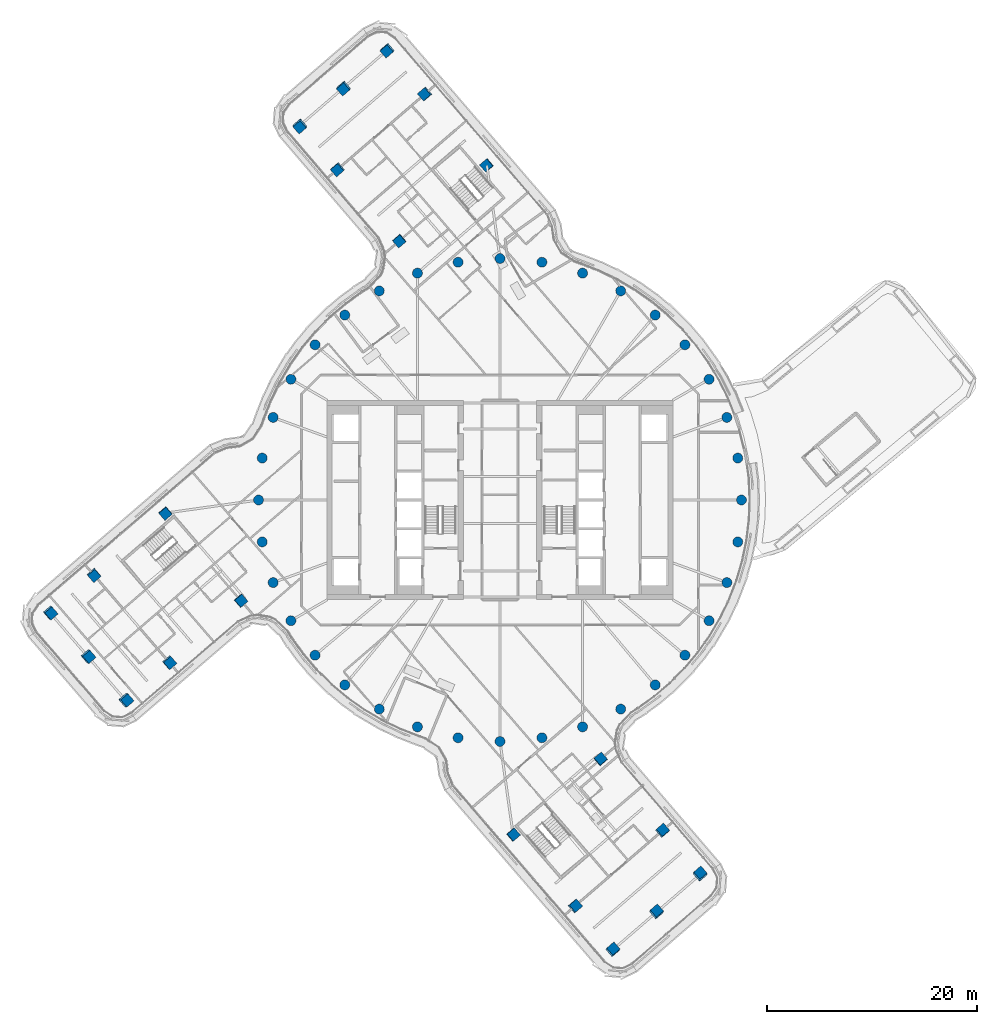
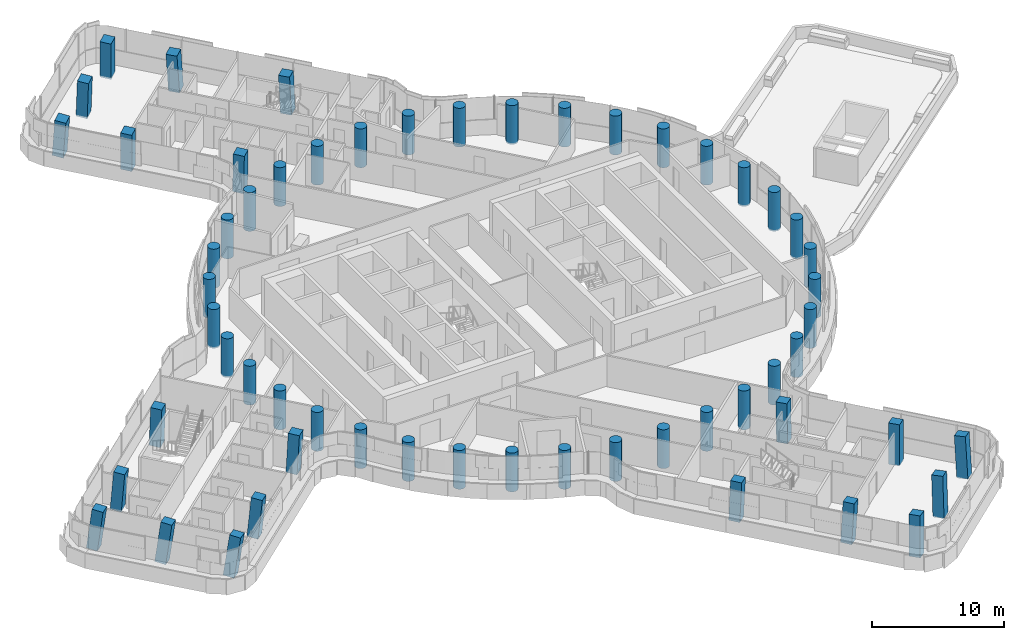
# One storey, part 1 of 34: 57 columns.
"""IFC4 building model written with IfcOpenShell, lengths in metres."""

from ifc_helpers import new_model, si_unit, direction, frame, origin, origin_2d, place, context, subcontext, project, spatial, rectangle, circle, extrude, material, material_profile, profile_set, type_object, element, save


model = new_model("IFC4")

# Units and contexts
model_context = context("Model", 3, precision=1e-05, world=origin(), true_north=direction((0.0, 1.0)))
body_context = subcontext(model_context, "Body", "Model", "MODEL_VIEW")
ifc_project = project(units=[si_unit("LENGTHUNIT", "METRE"), si_unit("AREAUNIT", "SQUARE_METRE"), si_unit("VOLUMEUNIT", "CUBIC_METRE"), si_unit("PLANEANGLEUNIT", "RADIAN"), si_unit("MASSUNIT", "GRAM", prefix="KILO")], contexts=[model_context])

# Site, building, storey
site_placement = place(None, origin())
site = spatial("IfcSite", under=ifc_project, at=site_placement, CompositionType="ELEMENT")
building_placement = place(site_placement, origin())
building = spatial("IfcBuilding", under=site, at=building_placement, Name="Tamarind Cross Interchange Tower", CompositionType="ELEMENT")
storey_placement = place(building_placement, frame((0.0, 0.0, 182.5)))
storey = spatial("IfcBuildingStorey", under=building, at=storey_placement, Name="L45", CompositionType="ELEMENT", Elevation=182.5)

# Columns
ifc_material = material(Name="Concrete C55", Category="concrete")
ifc_material_profile_1 = material_profile(ifc_material, rectangle(XDim=0.89990234375, YDim=0.89990234375, at=origin_2d()), Name="RC 900x900")
ifc_profile_set_1 = profile_set([ifc_material_profile_1], Name="Concrete C55")
column_type_1 = type_object("IfcColumnType", Name="Column RC 900x900 Concrete C55", PredefinedType="COLUMN", material=ifc_profile_set_1)
column_1_placement = place(storey_placement, frame((-15.459228515625, 31.515869140625, -0.1328125), z_axis=(-0.047319070379, -0.07839124964, 0.995799034725), x_axis=(0.755788776181, 0.649009542698, 0.087005398028)))
element("IfcColumn", 1, at=column_1_placement, inside=storey, type_object=column_type_1, Name="Column L45-043", PredefinedType="COLUMN", context=body_context, shape_type="SweptSolid", body=[
    extrude(rectangle(XDim=0.89990234375, YDim=0.89990234375, at=origin_2d()), origin(), (0.0, 0.0, 1.0), 3.6064453125),
])
column_2_placement = place(storey_placement, frame((-7.1259765625, 38.696044921875, -0.13330078125), z_axis=(-0.083863399406, -0.036686006843, 0.995801720797), x_axis=(0.651508924479, -0.758162598415, 0.026936883435)))
element("IfcColumn", 2, at=column_2_placement, inside=storey, type_object=column_type_1, Name="Column L45-044", PredefinedType="COLUMN", context=body_context, shape_type="SweptSolid", body=[
    extrude(rectangle(XDim=0.89990234375, YDim=0.89990234375, at=origin_2d()), origin(), (0.0, 0.0, 1.0), 3.60693359375),
])
column_3_placement = place(storey_placement, frame((-9.58447265625, 24.69775390625, -0.13525390625), z_axis=(-0.013229584391, -0.048576320124, 0.998731855515), x_axis=(0.757717932984, 0.651247732409, 0.04171240903)))
element("IfcColumn", 3, at=column_3_placement, inside=storey, type_object=column_type_1, Name="Column L45-045", PredefinedType="COLUMN", context=body_context, shape_type="SweptSolid", body=[
    extrude(rectangle(XDim=0.89990234375, YDim=0.89990234375, at=origin_2d()), origin(), (0.0, 0.0, 1.0), 3.5986328125),
])
column_4_placement = place(storey_placement, frame((-1.2509765625, 31.8779296875, -0.135498046875), z_axis=(-0.049929700814, -0.006783926741, 0.99872969482), x_axis=(0.652013787216, -0.757710068374, 0.027449472935)))
element("IfcColumn", 4, at=column_4_placement, inside=storey, type_object=column_type_1, Name="Column L45-046", PredefinedType="COLUMN", context=body_context, shape_type="SweptSolid", body=[
    extrude(rectangle(XDim=0.89990234375, YDim=0.89990234375, at=origin_2d()), origin(), (0.0, 0.0, 1.0), 3.598876953125),
])
column_5_placement = place(storey_placement, frame((-10.724609375, 42.871337890625, -0.125), z_axis=(-0.05897537844, -0.10577694023, 0.992639483223), x_axis=(0.75438904644, 0.6465033883, 0.113712512625)))
element("IfcColumn", 5, at=column_5_placement, inside=storey, type_object=column_type_1, Name="Column L45-047", PredefinedType="COLUMN", context=body_context, shape_type="SweptSolid", body=[
    extrude(rectangle(XDim=0.89990234375, YDim=0.89990234375, at=origin_2d()), origin(), (0.0, 0.0, 1.0), 3.60986328125),
])
column_6_placement = place(storey_placement, frame((-14.89111328125, 39.28125, -0.12646484375), z_axis=(-0.040639705862, -0.12637463351, 0.99114976987), x_axis=(0.755269902041, 0.645550569996, 0.113277697048)))
element("IfcColumn", 6, at=column_6_placement, inside=storey, type_object=column_type_1, Name="Column L45-048", PredefinedType="COLUMN", context=body_context, shape_type="SweptSolid", body=[
    extrude(rectangle(XDim=0.89990234375, YDim=0.89990234375, at=origin_2d()), origin(), (0.0, 0.0, 1.0), 3.616455078125),
])
column_7_placement = place(storey_placement, frame((-19.0576171875, 35.69140625, -0.128173828125), z_axis=(-0.022351267372, -0.146831669094, 0.988908935038), x_axis=(0.756181261603, 0.644567349154, 0.112795531851)))
element("IfcColumn", 7, at=column_7_placement, inside=storey, type_object=column_type_1, Name="Column L45-049", PredefinedType="COLUMN", context=body_context, shape_type="SweptSolid", body=[
    extrude(rectangle(XDim=0.89990234375, YDim=0.89990234375, at=origin_2d()), origin(), (0.0, 0.0, 1.0), 3.62646484375),
])
column_8_placement = place(storey_placement, frame((-31.515869140625, -15.459228515625, -0.1328125), z_axis=(0.07839124964, -0.047319070379, 0.995799034725), x_axis=(-0.649009542698, 0.755788776181, 0.087005398028)))
element("IfcColumn", 8, at=column_8_placement, inside=storey, type_object=column_type_1, Name="Column L45-050", PredefinedType="COLUMN", context=body_context, shape_type="SweptSolid", body=[
    extrude(rectangle(XDim=0.89990234375, YDim=0.89990234375, at=origin_2d()), origin(), (0.0, 0.0, 1.0), 3.6064453125),
])
column_9_placement = place(storey_placement, frame((-38.696044921875, -7.1259765625, -0.13330078125), z_axis=(0.036686006843, -0.083863399406, 0.995801720797), x_axis=(0.758162598415, 0.651508924479, 0.026936883435)))
element("IfcColumn", 9, at=column_9_placement, inside=storey, type_object=column_type_1, Name="Column L45-051", PredefinedType="COLUMN", context=body_context, shape_type="SweptSolid", body=[
    extrude(rectangle(XDim=0.89990234375, YDim=0.89990234375, at=origin_2d()), origin(), (0.0, 0.0, 1.0), 3.60693359375),
])
column_10_placement = place(storey_placement, frame((-24.69775390625, -9.58447265625, -0.13525390625), z_axis=(0.048576320124, -0.013229584391, 0.998731855515), x_axis=(-0.651247732409, 0.757717932984, 0.04171240903)))
element("IfcColumn", 10, at=column_10_placement, inside=storey, type_object=column_type_1, Name="Column L45-052", PredefinedType="COLUMN", context=body_context, shape_type="SweptSolid", body=[
    extrude(rectangle(XDim=0.89990234375, YDim=0.89990234375, at=origin_2d()), origin(), (0.0, 0.0, 1.0), 3.5986328125),
])
column_11_placement = place(storey_placement, frame((-31.8779296875, -1.2509765625, -0.135498046875), z_axis=(0.006783926741, -0.049929700814, 0.99872969482), x_axis=(0.757710068374, 0.652013787216, 0.027449472935)))
element("IfcColumn", 11, at=column_11_placement, inside=storey, type_object=column_type_1, Name="Column L45-053", PredefinedType="COLUMN", context=body_context, shape_type="SweptSolid", body=[
    extrude(rectangle(XDim=0.89990234375, YDim=0.89990234375, at=origin_2d()), origin(), (0.0, 0.0, 1.0), 3.598876953125),
])
column_12_placement = place(storey_placement, frame((-42.871337890625, -10.724609375, -0.125), z_axis=(0.10577694023, -0.05897537844, 0.992639483223), x_axis=(-0.6465033883, 0.75438904644, 0.113712512625)))
element("IfcColumn", 12, at=column_12_placement, inside=storey, type_object=column_type_1, Name="Column L45-054", PredefinedType="COLUMN", context=body_context, shape_type="SweptSolid", body=[
    extrude(rectangle(XDim=0.89990234375, YDim=0.89990234375, at=origin_2d()), origin(), (0.0, 0.0, 1.0), 3.60986328125),
])
column_13_placement = place(storey_placement, frame((-39.28125, -14.89111328125, -0.12646484375), z_axis=(0.12637463351, -0.040639705862, 0.99114976987), x_axis=(-0.645550569996, 0.755269902041, 0.113277697048)))
element("IfcColumn", 13, at=column_13_placement, inside=storey, type_object=column_type_1, Name="Column L45-055", PredefinedType="COLUMN", context=body_context, shape_type="SweptSolid", body=[
    extrude(rectangle(XDim=0.89990234375, YDim=0.89990234375, at=origin_2d()), origin(), (0.0, 0.0, 1.0), 3.616455078125),
])
column_14_placement = place(storey_placement, frame((-35.69140625, -19.0576171875, -0.128173828125), z_axis=(0.146831669094, -0.022351267372, 0.988908935038), x_axis=(-0.644567349154, 0.756181261603, 0.112795531851)))
element("IfcColumn", 14, at=column_14_placement, inside=storey, type_object=column_type_1, Name="Column L45-056", PredefinedType="COLUMN", context=body_context, shape_type="SweptSolid", body=[
    extrude(rectangle(XDim=0.89990234375, YDim=0.89990234375, at=origin_2d()), origin(), (0.0, 0.0, 1.0), 3.62646484375),
])
column_15_placement = place(storey_placement, frame((15.459228515625, -31.515869140625, -0.1328125), z_axis=(0.047319070379, 0.07839124964, 0.995799034725), x_axis=(-0.755788776181, -0.649009542698, 0.087005398028)))
element("IfcColumn", 15, at=column_15_placement, inside=storey, type_object=column_type_1, Name="Column L45-057", PredefinedType="COLUMN", context=body_context, shape_type="SweptSolid", body=[
    extrude(rectangle(XDim=0.89990234375, YDim=0.89990234375, at=origin_2d()), origin(), (0.0, 0.0, 1.0), 3.6064453125),
])
column_16_placement = place(storey_placement, frame((7.1259765625, -38.696044921875, -0.13330078125), z_axis=(0.083863399406, 0.036686006843, 0.995801720797), x_axis=(-0.651508924479, 0.758162598415, 0.026936883435)))
element("IfcColumn", 16, at=column_16_placement, inside=storey, type_object=column_type_1, Name="Column L45-058", PredefinedType="COLUMN", context=body_context, shape_type="SweptSolid", body=[
    extrude(rectangle(XDim=0.89990234375, YDim=0.89990234375, at=origin_2d()), origin(), (0.0, 0.0, 1.0), 3.60693359375),
])
column_17_placement = place(storey_placement, frame((9.58447265625, -24.69775390625, -0.13525390625), z_axis=(0.013229584391, 0.048576320124, 0.998731855515), x_axis=(-0.757717932984, -0.651247732409, 0.04171240903)))
element("IfcColumn", 17, at=column_17_placement, inside=storey, type_object=column_type_1, Name="Column L45-059", PredefinedType="COLUMN", context=body_context, shape_type="SweptSolid", body=[
    extrude(rectangle(XDim=0.89990234375, YDim=0.89990234375, at=origin_2d()), origin(), (0.0, 0.0, 1.0), 3.5986328125),
])
column_18_placement = place(storey_placement, frame((1.2509765625, -31.8779296875, -0.135498046875), z_axis=(0.049929700814, 0.006783926741, 0.99872969482), x_axis=(-0.652013787216, 0.757710068374, 0.027449472935)))
element("IfcColumn", 18, at=column_18_placement, inside=storey, type_object=column_type_1, Name="Column L45-060", PredefinedType="COLUMN", context=body_context, shape_type="SweptSolid", body=[
    extrude(rectangle(XDim=0.89990234375, YDim=0.89990234375, at=origin_2d()), origin(), (0.0, 0.0, 1.0), 3.598876953125),
])
column_19_placement = place(storey_placement, frame((10.724609375, -42.871337890625, -0.125), z_axis=(0.05897537844, 0.10577694023, 0.992639483223), x_axis=(-0.75438904644, -0.6465033883, 0.113712512625)))
element("IfcColumn", 19, at=column_19_placement, inside=storey, type_object=column_type_1, Name="Column L45-061", PredefinedType="COLUMN", context=body_context, shape_type="SweptSolid", body=[
    extrude(rectangle(XDim=0.89990234375, YDim=0.89990234375, at=origin_2d()), origin(), (0.0, 0.0, 1.0), 3.60986328125),
])
column_20_placement = place(storey_placement, frame((14.89111328125, -39.28125, -0.12646484375), z_axis=(0.040639705862, 0.12637463351, 0.99114976987), x_axis=(-0.755269902041, -0.645550569996, 0.113277697048)))
element("IfcColumn", 20, at=column_20_placement, inside=storey, type_object=column_type_1, Name="Column L45-062", PredefinedType="COLUMN", context=body_context, shape_type="SweptSolid", body=[
    extrude(rectangle(XDim=0.89990234375, YDim=0.89990234375, at=origin_2d()), origin(), (0.0, 0.0, 1.0), 3.616455078125),
])
column_21_placement = place(storey_placement, frame((19.0576171875, -35.69140625, -0.128173828125), z_axis=(0.022351267372, 0.146831669094, 0.988908935038), x_axis=(-0.756181261603, -0.644567349154, 0.112795531851)))
element("IfcColumn", 21, at=column_21_placement, inside=storey, type_object=column_type_1, Name="Column L45-063", PredefinedType="COLUMN", context=body_context, shape_type="SweptSolid", body=[
    extrude(rectangle(XDim=0.89990234375, YDim=0.89990234375, at=origin_2d()), origin(), (0.0, 0.0, 1.0), 3.62646484375),
])
ifc_material_profile_2 = material_profile(ifc_material, circle(Radius=0.47509765625, at=origin_2d()), Name="RC D950")
ifc_profile_set_2 = profile_set([ifc_material_profile_2], Name="Concrete C55")
column_type_2 = type_object("IfcColumnType", Name="Column RC D950 Concrete C55", PredefinedType="COLUMN", material=ifc_profile_set_2)
for number, where, z_axis, x_axis, name in (
    (22, (23.0, 0.0, -0.139892578125), (0.0, 0.0, 1.0), (1.0, 0.0, 0.0), "Column L45-000"),
    (23, (22.650634765625, 3.993896484375, -0.139892578125), (0.0, 0.0, 1.0), (1.0, 0.0, 0.0), "Column L45-001"),
    (24, (21.613037109375, 7.866455078125, -0.139892578125), (0.0, 0.0, 1.0), (1.0, 0.0, 0.0), "Column L45-002"),
    (25, (19.918701171875, 11.5, -0.139892578125), (0.0, 0.0, 1.0), (1.0, 0.0, 0.0), "Column L45-003"),
    (26, (17.619140625, 14.7841796875, -0.139892578125), (0.0, 0.0, 1.0), (1.0, 0.0, 0.0), "Column L45-004"),
    (27, (14.7841796875, 17.619140625, -0.139892578125), (0.0, 0.0, 1.0), (1.0, 0.0, 0.0), "Column L45-005"),
    (28, (11.5, 19.918701171875, -0.139892578125), (0.0, 0.0, 1.0), (1.0, 0.0, 0.0), "Column L45-006"),
    (29, (7.866455078125, 21.613037109375, -0.139892578125), (0.0, 0.0, 1.0), (1.0, 0.0, 0.0), "Column L45-007"),
    (30, (3.993896484375, 22.650634765625, -0.139892578125), (0.0, 0.0, 1.0), (1.0, 0.0, 0.0), "Column L45-008"),
    (31, (0.0, 23.0, -0.139892578125), (0.0, 0.0, 1.0), (1.0, 0.0, 0.0), "Column L45-009"),
    (32, (-3.993896484375, 22.650634765625, -0.139892578125), (0.0, 0.0, 1.0), (1.0, 0.0, 0.0), "Column L45-010"),
    (33, (-7.866455078125, 21.613037109375, -0.139892578125), (0.0, 0.0, 1.0), (1.0, 0.0, 0.0), "Column L45-011"),
    (34, (-11.5, 19.918701171875, -0.139892578125), (0.0, 0.0, 1.0), (1.0, 0.0, 0.0), "Column L45-012"),
    (35, (-14.7841796875, 17.619140625, -0.139892578125), (0.0, 0.0, 1.0), (1.0, 0.0, 0.0), "Column L45-013"),
    (36, (-17.619140625, 14.7841796875, -0.139892578125), (0.0, 0.0, 1.0), (1.0, 0.0, 0.0), "Column L45-014"),
    (37, (-19.918701171875, 11.5, -0.139892578125), (0.0, 0.0, 1.0), (1.0, 0.0, 0.0), "Column L45-015"),
    (38, (-21.613037109375, 7.866455078125, -0.139892578125), (0.0, 0.0, 1.0), (1.0, 0.0, 0.0), "Column L45-016"),
    (39, (-22.650634765625, 3.993896484375, -0.139892578125), (0.0, 0.0, 1.0), (1.0, 0.0, 0.0), "Column L45-017"),
    (40, (-23.0, 0.0, -0.139892578125), (0.0, 0.0, 1.0), (1.0, 0.0, 0.0), "Column L45-018"),
    (41, (-22.650634765625, -3.993896484375, -0.139892578125), (0.0, 0.0, 1.0), (1.0, 0.0, 0.0), "Column L45-019"),
    (42, (-21.613037109375, -7.866455078125, -0.139892578125), (0.0, 0.0, 1.0), (1.0, 0.0, 0.0), "Column L45-020"),
    (43, (-19.918701171875, -11.5, -0.139892578125), (0.0, 0.0, 1.0), (1.0, 0.0, 0.0), "Column L45-021"),
    (44, (-17.619140625, -14.7841796875, -0.139892578125), (0.0, 0.0, 1.0), (1.0, 0.0, 0.0), "Column L45-022"),
    (45, (-14.7841796875, -17.619140625, -0.139892578125), (0.0, 0.0, 1.0), (1.0, 0.0, 0.0), "Column L45-023"),
    (46, (-11.5, -19.918701171875, -0.139892578125), (0.0, 0.0, 1.0), (1.0, 0.0, 0.0), "Column L45-024"),
    (47, (-7.866455078125, -21.613037109375, -0.139892578125), (0.0, 0.0, 1.0), (1.0, 0.0, 0.0), "Column L45-025"),
    (48, (-3.993896484375, -22.650634765625, -0.139892578125), (0.0, 0.0, 1.0), (1.0, 0.0, 0.0), "Column L45-026"),
    (49, (0.0, -23.0, -0.139892578125), (0.0, 0.0, 1.0), (1.0, 0.0, 0.0), "Column L45-027"),
    (50, (3.993896484375, -22.650634765625, -0.139892578125), (0.0, 0.0, 1.0), (1.0, 0.0, 0.0), "Column L45-028"),
    (51, (7.866455078125, -21.613037109375, -0.139892578125), (0.0, 0.0, 1.0), (1.0, 0.0, 0.0), "Column L45-029"),
    (52, (11.5, -19.918701171875, -0.139892578125), (0.0, 0.0, 1.0), (1.0, 0.0, 0.0), "Column L45-030"),
    (53, (14.7841796875, -17.619140625, -0.139892578125), (0.0, 0.0, 1.0), (1.0, 0.0, 0.0), "Column L45-031"),
    (54, (17.619140625, -14.7841796875, -0.139892578125), (0.0, 0.0, 1.0), (1.0, 0.0, 0.0), "Column L45-032"),
    (55, (19.918701171875, -11.5, -0.139892578125), (0.0, 0.0, 1.0), (1.0, 0.0, 0.0), "Column L45-033"),
    (56, (21.613037109375, -7.866455078125, -0.139892578125), (0.0, 0.0, 1.0), (1.0, 0.0, 0.0), "Column L45-034"),
    (57, (22.650634765625, -3.993896484375, -0.139892578125), (0.0, 0.0, 1.0), (1.0, 0.0, 0.0), "Column L45-035"),
):
    element("IfcColumn", number, at=place(storey_placement, frame(where, z_axis=z_axis, x_axis=x_axis)), inside=storey, type_object=column_type_2, Name=name, PredefinedType="COLUMN", context=body_context, shape_type="SweptSolid", body=[
        extrude(circle(Radius=0.47509765625, at=origin_2d()), origin(), (0.0, 0.0, 1.0), 3.599853515625),
    ])

save(model, "model.ifc")
